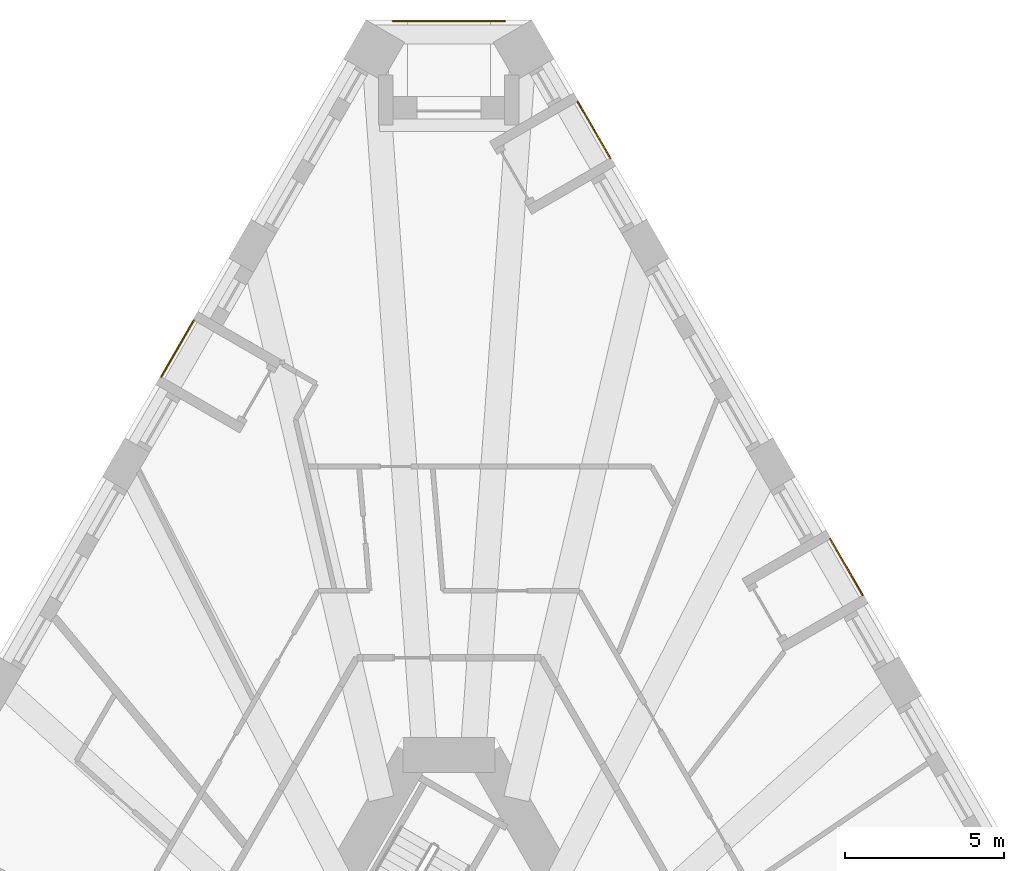
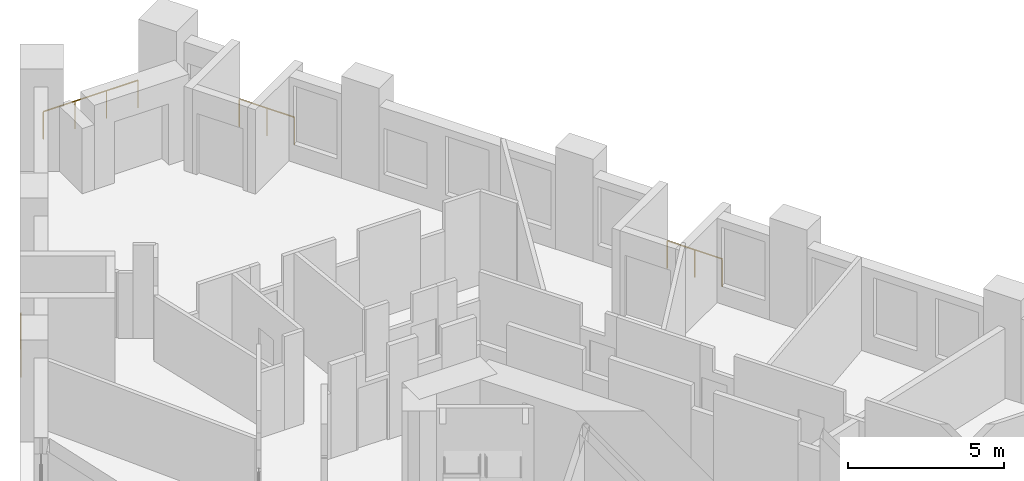
# One storey, part 14 of 14: 4 railings.
"""IFC4 building model written with IfcOpenShell, lengths in metres."""

from ifc_helpers import new_model, si_unit, direction, frame, origin, origin_2d, place, context, subcontext, project, spatial, circle, extrude, material, type_object, element, save


model = new_model("IFC4")

# Units and contexts
model_context = context("Model", 3, precision=1e-05, world=origin(), true_north=direction((0.0, 1.0)))
body_context = subcontext(model_context, "Body", "Model", "MODEL_VIEW")
ifc_project = project(units=[si_unit("LENGTHUNIT", "METRE"), si_unit("AREAUNIT", "SQUARE_METRE"), si_unit("VOLUMEUNIT", "CUBIC_METRE"), si_unit("PLANEANGLEUNIT", "RADIAN"), si_unit("MASSUNIT", "GRAM", prefix="KILO")], contexts=[model_context])

# Site, building, storey
site_placement = place(None, origin())
site = spatial("IfcSite", under=ifc_project, at=site_placement, CompositionType="ELEMENT")
building_placement = place(site_placement, origin())
building = spatial("IfcBuilding", under=site, at=building_placement, Name="Tramontana Tower", CompositionType="ELEMENT")
storey_placement = place(building_placement, frame((0.0, 0.0, 42.0)))
storey = spatial("IfcBuildingStorey", under=building, at=storey_placement, Name="L08", CompositionType="ELEMENT", Elevation=42.0)

# Railings
ifc_material = material(Name="Laminated glass balustrade", Category="glass")
railing_type = type_object("IfcRailingType", Name="GD1 Loggia glass balustrade 1100", PredefinedType="BALUSTRADE", material=ifc_material)
railing_1_placement = place(storey_placement, frame((-8.000732421875, 24.082275390625, 0.0)))
element("IfcRailing", 1, at=railing_1_placement, inside=storey, type_object=railing_type, Name="Loggia balustrade L08 G0S0.4", PredefinedType="BALUSTRADE", context=body_context, shape_type="SweptSolid", body=[
    extrude(circle(Radius=0.02392578125, at=origin_2d()), frame((0.0, 0.0, 1.076171875), z_axis=(-0.499950448838, -0.866054010271, 0.0), x_axis=(0.866054010271, -0.499950448838, 0.0)), (0.0, 0.0, 1.0), 2.039306640625),
    extrude(circle(Radius=0.02099609375, at=origin_2d()), origin(), (0.0, 0.0, 1.0), 1.052001953125),
    extrude(circle(Radius=0.02099609375, at=origin_2d()), frame((-0.509765625, -0.883056640625, 0.0)), (0.0, 0.0, 1.0), 1.052001953125),
    extrude(circle(Radius=0.02099609375, at=origin_2d()), frame((-1.01953125, -1.76611328125, 0.0)), (0.0, 0.0, 1.0), 1.052001953125),
])
railing_2_placement = place(storey_placement, frame((12.979248046875, 15.458984375, 0.0)))
element("IfcRailing", 2, at=railing_2_placement, inside=storey, type_object=railing_type, Name="Loggia balustrade L08 G0S2.13", PredefinedType="BALUSTRADE", context=body_context, shape_type="SweptSolid", body=[
    extrude(circle(Radius=0.02392578125, at=origin_2d()), frame((0.0, 0.0, 1.076171875), z_axis=(-0.499950448838, 0.866054010271, 0.0), x_axis=(-0.866054010271, -0.499950448838, 0.0)), (0.0, 0.0, 1.0), 2.039306640625),
    extrude(circle(Radius=0.02099609375, at=origin_2d()), origin(), (0.0, 0.0, 1.0), 1.052001953125),
    extrude(circle(Radius=0.02099609375, at=origin_2d()), frame((-0.509765625, 0.883056640625, 0.0)), (0.0, 0.0, 1.0), 1.052001953125),
    extrude(circle(Radius=0.02099609375, at=origin_2d()), frame((-1.01953125, 1.76611328125, 0.0)), (0.0, 0.0, 1.0), 1.052001953125),
])
railing_3_placement = place(storey_placement, frame((5.0615234375, 29.17333984375, 0.0)))
element("IfcRailing", 3, at=railing_3_placement, inside=storey, type_object=railing_type, Name="Loggia balustrade L08 G0S2.19", PredefinedType="BALUSTRADE", context=body_context, shape_type="SweptSolid", body=[
    extrude(circle(Radius=0.02392578125, at=origin_2d()), frame((0.0, 0.0, 1.076171875), z_axis=(-0.500040236659, 0.866002171892, 0.0), x_axis=(-0.866002171892, -0.500040236659, 0.0)), (0.0, 0.0, 1.0), 2.039306640625),
    extrude(circle(Radius=0.02099609375, at=origin_2d()), origin(), (0.0, 0.0, 1.0), 1.052001953125),
    extrude(circle(Radius=0.02099609375, at=origin_2d()), frame((-0.509765625, 0.883056640625, 0.0)), (0.0, 0.0, 1.0), 1.052001953125),
    extrude(circle(Radius=0.02099609375, at=origin_2d()), frame((-1.019775390625, 1.76611328125, 0.0)), (0.0, 0.0, 1.0), 1.052001953125),
])
railing_4_placement = place(storey_placement, frame((-1.75, 33.469970703125, 0.0)))
element("IfcRailing", 4, at=railing_4_placement, inside=storey, type_object=railing_type, Name="Corner loggia balustrade L08 K00", PredefinedType="BALUSTRADE", context=body_context, shape_type="SweptSolid", body=[
    extrude(circle(Radius=0.02392578125, at=origin_2d()), frame((0.0, 0.0, 1.076171875), z_axis=(1.0, 0.0, 0.0), x_axis=(0.0, 1.0, 0.0)), (0.0, 0.0, 1.0), 3.5),
    extrude(circle(Radius=0.02099609375, at=origin_2d()), origin(), (0.0, 0.0, 1.0), 1.052001953125),
    extrude(circle(Radius=0.02099609375, at=origin_2d()), frame((1.166748046875, 0.0, 0.0)), (0.0, 0.0, 1.0), 1.052001953125),
    extrude(circle(Radius=0.02099609375, at=origin_2d()), frame((2.333251953125, 0.0, 0.0)), (0.0, 0.0, 1.0), 1.052001953125),
    extrude(circle(Radius=0.02099609375, at=origin_2d()), frame((3.5, 0.0, 0.0)), (0.0, 0.0, 1.0), 1.052001953125),
])

save(model, "model.ifc")
